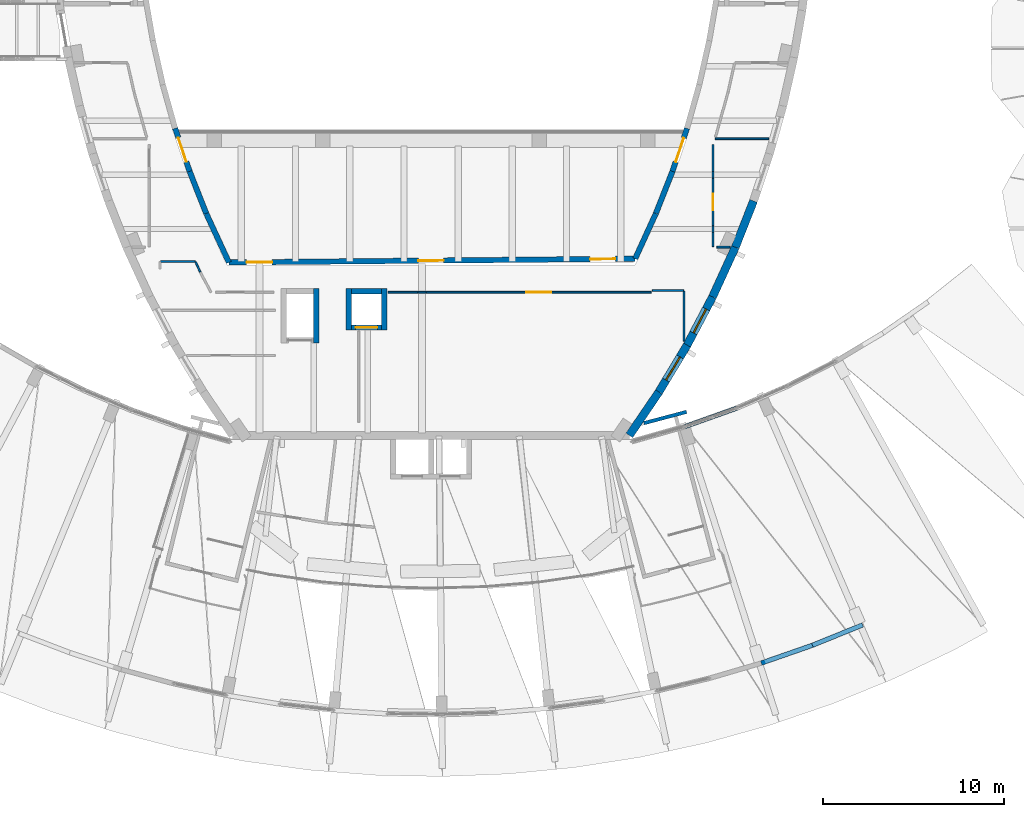
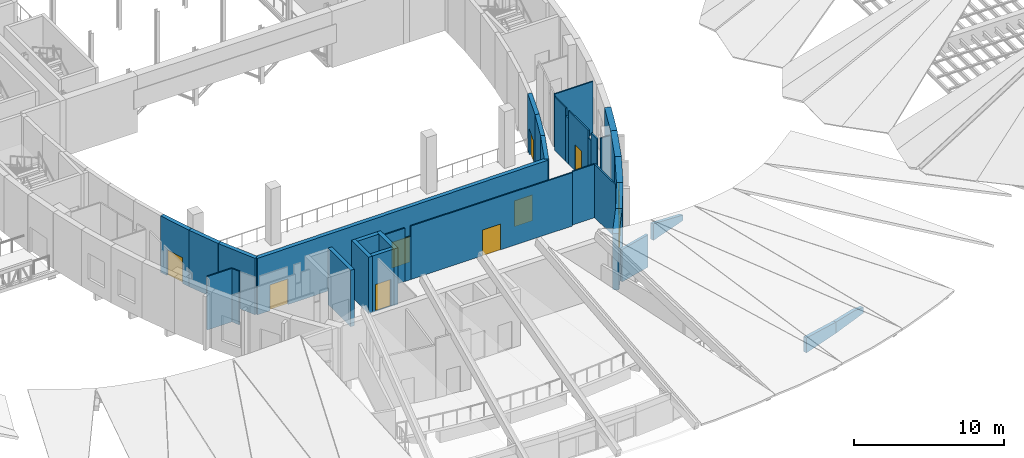
# One storey, part 34 of 56: 35 walls, 8 doors, 2 windows, 10 openings.
"""IFC4 building model written with IfcOpenShell, lengths in metres."""

from ifc_helpers import new_model, si_unit, direction, frame, frame_2d, origin, place, context, subcontext, project, spatial, polyline, rectangle, outline, extrude, material, layer, layer_set, type_object, element, fill, save


model = new_model("IFC4")

# Units and contexts
model_context = context("Model", 3, precision=1e-05, world=origin(), true_north=direction((0.0, 1.0)))
body_context = subcontext(model_context, "Body", "Model", "MODEL_VIEW")
ifc_project = project(units=[si_unit("LENGTHUNIT", "METRE"), si_unit("AREAUNIT", "SQUARE_METRE"), si_unit("VOLUMEUNIT", "CUBIC_METRE"), si_unit("PLANEANGLEUNIT", "RADIAN"), si_unit("MASSUNIT", "GRAM", prefix="KILO")], contexts=[model_context])

# Site, building, storey
site_placement = place(None, origin())
site = spatial("IfcSite", under=ifc_project, at=site_placement, CompositionType="ELEMENT")
building_placement = place(site_placement, origin())
building = spatial("IfcBuilding", under=site, at=building_placement, Name="Tide Square Theatres", CompositionType="ELEMENT")
storey_placement = place(building_placement, frame((0.0, 0.0, 10.199951171875)))
storey = spatial("IfcBuildingStorey", under=building, at=storey_placement, Name="L02", CompositionType="ELEMENT", Elevation=10.199951171875)

# Walls
ifc_material_1 = material(Name="Gypsum board on steel studs", Category="steel")
ifc_layer_1 = layer(ifc_material_1, 0.10009765625)
ifc_layer_set_1 = layer_set([ifc_layer_1], Name="Gypsum board on steel studs")
wall_type_1 = type_object("IfcWallType", Name="Partition 100 thick", PredefinedType="PARTITIONING", material=ifc_layer_set_1)
wall_1_placement = place(storey_placement, frame((69.033203125, 33.199951171875, 0.0), z_axis=(0.0, 0.0, 1.0), x_axis=(1.0, 0.0, 0.0)))
element("IfcWall", 1, at=wall_1_placement, inside=storey, type_object=wall_type_1, Name="Partition", PredefinedType="PARTITIONING", context=body_context, shape_type="SweptSolid", body=[
    extrude(rectangle(XDim=1.9140625, YDim=0.10009765625, at=frame_2d((0.95703125, 0.0))), origin(), (0.0, 0.0, 1.0), 4.35009765625),
])
wall_2_placement = place(storey_placement, frame((70.97412109375, 33.176513671875, 0.0), z_axis=(0.0, 0.0, 1.0), x_axis=(0.416055955945, -0.909339013527, 0.0)))
element("IfcWall", 2, at=wall_2_placement, inside=storey, type_object=wall_type_1, Name="Partition", PredefinedType="PARTITIONING", context=body_context, shape_type="SweptSolid", body=[
    extrude(rectangle(XDim=0.603759765625, YDim=0.10009765625, at=frame_2d((0.3017578125, 0.0))), origin(), (0.0, 0.0, 1.0), 4.35009765625),
])
wall_3_placement = place(storey_placement, frame((81.6201171875, 31.5, 0.0), z_axis=(0.0, 0.0, 1.0), x_axis=(1.0, 0.0, 0.0)))
element("IfcWall", 3, at=wall_3_placement, inside=storey, type_object=wall_type_1, Name="Partition", PredefinedType="PARTITIONING", context=body_context, shape_type="SweptSolid", body=[
    extrude(rectangle(XDim=1.64990234375, YDim=0.10009765625, at=frame_2d((0.824951171875, 0.0))), origin(), (0.0, 0.0, 1.0), 4.35009765625),
])
wall_4_placement = place(storey_placement, frame((83.27001953125, 31.5, 0.0), z_axis=(0.0, 0.0, 1.0), x_axis=(1.0, 0.0, 0.0)))
element("IfcWall", 4, at=wall_4_placement, inside=storey, type_object=wall_type_1, Name="Partition", PredefinedType="PARTITIONING", context=body_context, shape_type="SweptSolid", body=[
    extrude(rectangle(XDim=0.4599609375, YDim=0.10009765625, at=frame_2d((0.22998046875, 0.0))), origin(), (0.0, 0.0, 1.0), 3.52001953125),
])

# Wall, opening, door
wall_5_placement = place(storey_placement, frame((83.72998046875, 31.5, 0.0), z_axis=(0.0, 0.0, 1.0), x_axis=(1.0, 0.0, 0.0)))
wall_5 = element("IfcWall", 5, at=wall_5_placement, inside=storey, type_object=wall_type_1, Name="Partition", PredefinedType="PARTITIONING", context=body_context, shape_type="SweptSolid", body=[
    extrude(rectangle(XDim=12.44921875, YDim=0.10009765625, at=frame_2d((6.224609375, 0.0))), origin(), (0.0, 0.0, 1.0), 4.35009765625),
])
opening_1_placement = place(wall_5_placement, frame((5.524658203125, 0.0, 0.0)))
opening_1 = element("IfcOpeningElement", 6, at=opening_1_placement, cuts=wall_5, Name="Opening M02-07", PredefinedType="OPENING", context=body_context, shape_type="SweptSolid", body=[
    extrude(rectangle(XDim=1.39990234375, YDim=2.10009765625, at=frame_2d((0.699951171875, 1.050048828125))), frame((0.0, 0.06005859375, 0.0), z_axis=(0.0, -1.0, 0.0), x_axis=(1.0, 0.0, 0.0)), (0.0, 0.0, 1.0), 0.1201171875),
])
ifc_material_2 = material(Name="Hardwood timber", Category="wood")
door_type_1 = type_object("IfcDoorType", Name="Door 1400 x 2100 double leaf", OperationType="DOUBLE_DOOR_SINGLE_SWING", PredefinedType="DOOR", material=ifc_material_2)
door_1_placement = place(opening_1_placement, origin())
door_1 = element("IfcDoor", 7, at=door_1_placement, inside=storey, type_object=door_type_1, Name="Upper Circle Bar door", OperationType="DOUBLE_DOOR_SINGLE_SWING", OverallHeight=2.10009765625, OverallWidth=1.39990234375, PredefinedType="DOOR", context=body_context, shape_type="SweptSolid", body=[
    extrude(rectangle(XDim=1.39990234375, YDim=2.10009765625, at=frame_2d((0.699951171875, 1.050048828125))), frame((0.0, 0.02490234375, 0.0), z_axis=(0.0, -1.0, 0.0), x_axis=(1.0, 0.0, 0.0)), (0.0, 0.0, 1.0), 0.050048828125),
])
fill(opening_1, door_1)

# Walls
wall_6_placement = place(storey_placement, frame((96.24755859375, 31.60009765625, 0.0), z_axis=(0.0, 0.0, 1.0), x_axis=(1.0, 0.0, 0.0)))
element("IfcWall", 8, at=wall_6_placement, inside=storey, type_object=wall_type_1, Name="Partition", PredefinedType="PARTITIONING", context=body_context, shape_type="SweptSolid", body=[
    extrude(rectangle(XDim=1.729248046875, YDim=0.10009765625, at=frame_2d((0.86474609375, 0.0))), origin(), (0.0, 0.0, 1.0), 4.35009765625),
])
wall_7_placement = place(storey_placement, frame((98.0, 31.56689453125, 0.0), z_axis=(0.0, 0.0, 1.0), x_axis=(0.0, -1.0, 0.0)))
element("IfcWall", 9, at=wall_7_placement, inside=storey, type_object=wall_type_1, Name="Partition", PredefinedType="PARTITIONING", context=body_context, shape_type="SweptSolid", body=[
    extrude(rectangle(XDim=2.770751953125, YDim=0.10009765625, at=frame_2d((1.38525390625, 0.0))), origin(), (0.0, 0.0, 1.0), 4.35009765625),
])
wall_8_placement = place(storey_placement, frame((99.60009765625, 34.023193359375, 0.0), z_axis=(0.0, 0.0, 1.0), x_axis=(0.0, 1.0, 0.0)))
element("IfcWall", 10, at=wall_8_placement, inside=storey, type_object=wall_type_1, Name="Partition", PredefinedType="PARTITIONING", context=body_context, shape_type="SweptSolid", body=[
    extrude(rectangle(XDim=0.796875, YDim=0.10009765625, at=frame_2d((0.3984375, 0.0))), origin(), (0.0, 0.0, 1.0), 4.35009765625),
])
wall_9_placement = place(storey_placement, frame((99.60009765625, 34.820068359375, 0.0), z_axis=(0.0, 0.0, 1.0), x_axis=(0.0, 1.0, 0.0)))
element("IfcWall", 11, at=wall_9_placement, inside=storey, type_object=wall_type_1, Name="Partition", PredefinedType="PARTITIONING", context=body_context, shape_type="SweptSolid", body=[
    extrude(rectangle(XDim=0.35986328125, YDim=0.10009765625, at=frame_2d((0.179931640625, 0.0))), origin(), (0.0, 0.0, 1.0), 3.719970703125),
])

# Wall, opening, door
wall_10_placement = place(storey_placement, frame((99.60009765625, 35.179931640625, 0.0), z_axis=(0.0, 0.0, 1.0), x_axis=(0.0, 1.0, 0.0)))
wall_10 = element("IfcWall", 12, at=wall_10_placement, inside=storey, type_object=wall_type_1, Name="Partition", PredefinedType="PARTITIONING", context=body_context, shape_type="SweptSolid", body=[
    extrude(rectangle(XDim=2.64013671875, YDim=0.10009765625, at=frame_2d((1.320068359375, 0.0))), origin(), (0.0, 0.0, 1.0), 4.35009765625),
])
opening_2_placement = place(wall_10_placement, frame((0.8701171875, 0.0, 0.0)))
opening_2 = element("IfcOpeningElement", 13, at=opening_2_placement, cuts=wall_10, Name="Opening M02-11", PredefinedType="OPENING", context=body_context, shape_type="SweptSolid", body=[
    extrude(rectangle(XDim=0.89990234375, YDim=2.10009765625, at=frame_2d((0.449951171875, 1.050048828125))), frame((0.0, 0.06005859375, 0.0), z_axis=(0.0, -1.0, 0.0), x_axis=(1.0, 0.0, 0.0)), (0.0, 0.0, 1.0), 0.1201171875),
])
ifc_material_3 = material(Name="Hardwood timber", Category="wood")
door_type_2 = type_object("IfcDoorType", Name="Door 900 x 2100 single leaf", OperationType="NOTDEFINED", PredefinedType="DOOR", material=ifc_material_3)
door_2_placement = place(opening_2_placement, frame((0.89990234375, 0.0, 0.0), z_axis=(0.0, 0.0, 1.0), x_axis=(-1.0, 0.0, 0.0)))
door_2 = element("IfcDoor", 14, at=door_2_placement, inside=storey, type_object=door_type_2, Name="Chorus Dressing Room 03 door", OperationType="SINGLE_SWING_LEFT", OverallHeight=2.10009765625, OverallWidth=0.89990234375, PredefinedType="DOOR", context=body_context, shape_type="SweptSolid", body=[
    extrude(rectangle(XDim=0.89990234375, YDim=2.10009765625, at=frame_2d((0.449951171875, 1.050048828125))), frame((0.0, 0.02490234375, 0.0), z_axis=(0.0, -1.0, 0.0), x_axis=(1.0, 0.0, 0.0)), (0.0, 0.0, 1.0), 0.050048828125),
])
fill(opening_2, door_2)

# Walls
wall_11_placement = place(storey_placement, frame((99.60009765625, 37.820068359375, 0.0), z_axis=(0.0, 0.0, 1.0), x_axis=(0.0, 1.0, 0.0)))
element("IfcWall", 15, at=wall_11_placement, inside=storey, type_object=wall_type_1, Name="Partition", PredefinedType="PARTITIONING", context=body_context, shape_type="SweptSolid", body=[
    extrude(rectangle(XDim=0.35986328125, YDim=0.10009765625, at=frame_2d((0.179931640625, 0.0))), origin(), (0.0, 0.0, 1.0), 3.719970703125),
])
wall_12_placement = place(storey_placement, frame((99.60009765625, 38.179931640625, 0.0), z_axis=(0.0, 0.0, 1.0), x_axis=(0.0, 1.0, 0.0)))
element("IfcWall", 16, at=wall_12_placement, inside=storey, type_object=wall_type_1, Name="Partition", PredefinedType="PARTITIONING", context=body_context, shape_type="SweptSolid", body=[
    extrude(rectangle(XDim=1.487548828125, YDim=0.10009765625, at=frame_2d((0.74365234375, 0.0))), origin(), (0.0, 0.0, 1.0), 4.35009765625),
])
wall_13_placement = place(storey_placement, frame((99.7373046875, 40.0, 0.0), z_axis=(0.0, 0.0, 1.0), x_axis=(1.0, 0.0, 0.0)))
element("IfcWall", 17, at=wall_13_placement, inside=storey, type_object=wall_type_1, Name="Partition", PredefinedType="PARTITIONING", context=body_context, shape_type="SweptSolid", body=[
    extrude(rectangle(XDim=2.94873046875, YDim=0.10009765625, at=frame_2d((1.474365234375, 0.0))), origin(), (0.0, 0.0, 1.0), 4.35009765625),
])
wall_14_placement = place(storey_placement, frame((100.552734375, 34.0, 0.0), z_axis=(0.0, 0.0, 1.0), x_axis=(-1.0, 0.0, 0.0)))
element("IfcWall", 18, at=wall_14_placement, inside=storey, type_object=wall_type_1, Name="Partition", PredefinedType="PARTITIONING", context=body_context, shape_type="SweptSolid", body=[
    extrude(rectangle(XDim=0.7314453125, YDim=0.10009765625, at=frame_2d((0.36572265625, 0.0))), origin(), (0.0, 0.0, 1.0), 4.35009765625),
])
ifc_material_4 = material(Name="Concrete C40", Category="concrete")
ifc_layer_2 = layer(ifc_material_4, 0.449951171875)
ifc_layer_set_2 = layer_set([ifc_layer_2], Name="Concrete C40")
wall_type_2 = type_object("IfcWallType", Name="RC curved wall 450 thick", PredefinedType="SOLIDWALL", material=ifc_layer_set_2)
wall_15_placement = place(storey_placement, frame((94.97412109375, 23.58251953125, 0.0), z_axis=(0.0, 0.0, 1.0), x_axis=(0.5629642644, 0.826481238147, 0.0)))
element("IfcWall", 19, at=wall_15_placement, inside=storey, type_object=wall_type_2, Name="Main Theatre perimeter wall", PredefinedType="SOLIDWALL", context=body_context, shape_type="SweptSolid", body=[
    extrude(rectangle(XDim=2.908203125, YDim=0.449951171875, at=frame_2d((1.4541015625, 0.0))), origin(), (0.0, 0.0, 1.0), 4.60009765625),
])

# Wall, opening, window
wall_16_placement = place(storey_placement, frame((96.611328125, 25.986083984375, 0.0), z_axis=(0.0, 0.0, 1.0), x_axis=(0.515636119523, 0.856807675177, 0.0)))
wall_16 = element("IfcWall", 20, at=wall_16_placement, inside=storey, type_object=wall_type_2, Name="Main Theatre perimeter wall", PredefinedType="SOLIDWALL", context=body_context, shape_type="SweptSolid", body=[
    extrude(rectangle(XDim=3.021240234375, YDim=0.449951171875, at=frame_2d((1.5107421875, 0.0))), origin(), (0.0, 0.0, 1.0), 4.60009765625),
])
opening_3_placement = place(wall_16_placement, frame((0.760498046875, 0.0, 0.89990234375)))
opening_3 = element("IfcOpeningElement", 21, at=opening_3_placement, cuts=wall_16, Name="Opening WN-01", PredefinedType="OPENING", context=body_context, shape_type="SweptSolid", body=[
    extrude(rectangle(XDim=1.5, YDim=2.10009765625, at=frame_2d((0.75, 1.050048828125))), frame((0.0, 0.23486328125, 0.0), z_axis=(0.0, -1.0, 0.0), x_axis=(1.0, 0.0, 0.0)), (0.0, 0.0, 1.0), 0.469970703125),
])
ifc_material_5 = material(Name="Aluminium with laminated glass", Category="aluminium")
window_type = type_object("IfcWindowType", Name="Window 1500 x 2100", PartitioningType="SINGLE_PANEL", PredefinedType="WINDOW", material=ifc_material_5)
window_1_placement = place(opening_3_placement, origin())
window_1 = element("IfcWindow", 22, at=window_1_placement, inside=storey, type_object=window_type, Name="Main Theatre window", OverallHeight=2.10009765625, OverallWidth=1.5, PartitioningType="SINGLE_PANEL", PredefinedType="WINDOW", context=body_context, shape_type="SweptSolid", body=[
    extrude(rectangle(XDim=1.5, YDim=2.10009765625, at=frame_2d((0.75, 1.050048828125))), frame((0.0, 0.030029296875, 0.0), z_axis=(0.0, -1.0, 0.0), x_axis=(1.0, 0.0, 0.0)), (0.0, 0.0, 1.0), 0.06005859375),
])
fill(opening_3, window_1)

wall_17_placement = place(storey_placement, frame((98.169189453125, 28.57470703125, 0.0), z_axis=(0.0, 0.0, 1.0), x_axis=(0.466728769487, 0.884400506407, 0.0)))
wall_17 = element("IfcWall", 23, at=wall_17_placement, inside=storey, type_object=wall_type_2, Name="Main Theatre perimeter wall", PredefinedType="SOLIDWALL", context=body_context, shape_type="SweptSolid", body=[
    extrude(rectangle(XDim=3.020751953125, YDim=0.449951171875, at=frame_2d((1.51025390625, 0.0))), origin(), (0.0, 0.0, 1.0), 4.60009765625),
])
opening_4_placement = place(wall_17_placement, frame((0.760498046875, 0.0, 0.89990234375)))
opening_4 = element("IfcOpeningElement", 24, at=opening_4_placement, cuts=wall_17, Name="Opening WN-01", PredefinedType="OPENING", context=body_context, shape_type="SweptSolid", body=[
    extrude(rectangle(XDim=1.5, YDim=2.10009765625, at=frame_2d((0.75, 1.050048828125))), frame((0.0, 0.23486328125, 0.0), z_axis=(0.0, -1.0, 0.0), x_axis=(1.0, 0.0, 0.0)), (0.0, 0.0, 1.0), 0.469970703125),
])
window_2_placement = place(opening_4_placement, origin())
window_2 = element("IfcWindow", 25, at=window_2_placement, inside=storey, type_object=window_type, Name="Main Theatre window", OverallHeight=2.10009765625, OverallWidth=1.5, PartitioningType="SINGLE_PANEL", PredefinedType="WINDOW", context=body_context, shape_type="SweptSolid", body=[
    extrude(rectangle(XDim=1.5, YDim=2.10009765625, at=frame_2d((0.75, 1.050048828125))), frame((0.0, 0.030029296875, 0.0), z_axis=(0.0, -1.0, 0.0), x_axis=(1.0, 0.0, 0.0)), (0.0, 0.0, 1.0), 0.06005859375),
])
fill(opening_4, window_2)

# Walls
wall_18_placement = place(storey_placement, frame((99.5791015625, 31.246337890625, 0.0), z_axis=(0.0, 0.0, 1.0), x_axis=(0.416407051835, 0.909178292296, 0.0)))
element("IfcWall", 26, at=wall_18_placement, inside=storey, type_object=wall_type_2, Name="Main Theatre perimeter wall", PredefinedType="SOLIDWALL", context=body_context, shape_type="SweptSolid", body=[
    extrude(rectangle(XDim=3.021240234375, YDim=0.449951171875, at=frame_2d((1.5107421875, 0.0))), origin(), (0.0, 0.0, 1.0), 4.60009765625),
])
wall_19_placement = place(storey_placement, frame((100.837158203125, 33.9931640625, 0.0), z_axis=(0.0, 0.0, 1.0), x_axis=(0.366920100653, 0.930252460215, 0.0)))
element("IfcWall", 27, at=wall_19_placement, inside=storey, type_object=wall_type_2, Name="Main Theatre perimeter wall", PredefinedType="SOLIDWALL", context=body_context, shape_type="SweptSolid", body=[
    extrude(rectangle(XDim=2.751953125, YDim=0.449951171875, at=frame_2d((1.3759765625, 0.0))), origin(), (0.0, 0.0, 1.0), 4.60009765625),
])
ifc_material_6 = material(Name="Concrete C40", Category="concrete")
ifc_layer_3 = layer(ifc_material_6, 0.199951171875)
ifc_layer_set_3 = layer_set([ifc_layer_3], Name="Concrete C40")
wall_type_3 = type_object("IfcWallType", Name="RC shear wall 200 thick", PredefinedType="SHEAR", material=ifc_layer_set_3)
wall_20_placement = place(storey_placement, frame((98.138427734375, 24.883544921875, 0.0), z_axis=(0.0, 0.0, 1.0), x_axis=(-0.966582812495, -0.256354572009, 0.0)))
element("IfcWall", 28, at=wall_20_placement, inside=storey, type_object=wall_type_3, Name="Exit stair F4 wall", PredefinedType="SHEAR", context=body_context, shape_type="SweptSolid", body=[
    extrude(rectangle(XDim=2.43994140625, YDim=0.199951171875, at=frame_2d((1.219970703125, 0.0))), origin(), (0.0, 0.0, 1.0), 2.64013671875),
])
ifc_material_7 = material(Name="Concrete C40", Category="concrete")
ifc_layer_4 = layer(ifc_material_7, 0.25)
ifc_layer_set_4 = layer_set([ifc_layer_4], Name="Concrete C40")
wall_type_4 = type_object("IfcWallType", Name="RC shear wall 250 thick", PredefinedType="SHEAR", material=ifc_layer_set_4)
wall_21_placement = place(storey_placement, frame((102.273193359375, 10.981689453125, 0.0), z_axis=(0.0, 0.0, 1.0), x_axis=(0.944369202368, 0.328887229334, 0.0)))
element("IfcWall", 29, at=wall_21_placement, inside=storey, type_object=wall_type_4, Name="Foyer fascia wall", PredefinedType="SHEAR", context=body_context, shape_type="SweptSolid", body=[
    extrude(outline(polyline([(0.0, 0.0), (2.99609375, 0.0), (2.99609375, 0.916015625), (0.0, 1.22412109375), (0.0, 0.0)])), frame((0.0, 0.125, 0.0), z_axis=(0.0, -1.0, 0.0), x_axis=(1.0, 0.0, 0.0)), (0.0, 0.0, 1.0), 0.25),
])
wall_22_placement = place(storey_placement, frame((105.1025390625, 11.967041015625, 0.0), z_axis=(0.0, 0.0, 1.0), x_axis=(0.926730066366, 0.375727805857, 0.0)))
element("IfcWall", 30, at=wall_22_placement, inside=storey, type_object=wall_type_4, Name="Foyer fascia wall", PredefinedType="SHEAR", context=body_context, shape_type="SweptSolid", body=[
    extrude(outline(polyline([(0.0, 0.0), (2.99609375, 0.0), (2.99609375, 0.479248046875), (2.6962890625, 0.5439453125), (2.396728515625, 0.631591796875), (2.09716796875, 0.72216796875), (0.0, 0.91552734375), (0.0, 0.0)])), frame((0.0, 0.125, 0.0), z_axis=(0.0, -1.0, 0.0), x_axis=(1.0, 0.0, 0.0)), (0.0, 0.0, 1.0), 0.25),
])
wall_23_placement = place(storey_placement, frame((100.9072265625, 25.08544921875, 2.7060546875), z_axis=(0.0, 0.0, 1.0), x_axis=(-0.941947191525, -0.335761058459, 0.0)))
element("IfcWall", 31, at=wall_23_placement, inside=storey, type_object=wall_type_4, Name="Foyer fascia wall", PredefinedType="SHEAR", context=body_context, shape_type="SweptSolid", body=[
    extrude(outline(polyline([(0.0, 0.0), (3.037841796875, 0.0), (3.037841796875, 1.348876953125), (2.76171875, 1.275390625), (0.0, 0.449462890625), (0.0, 0.0)])), frame((0.0, 0.125, 0.0), z_axis=(0.0, -1.0, 0.0), x_axis=(1.0, 0.0, 0.0)), (0.0, 0.0, 1.0), 0.25),
])

# Wall, opening, door
ifc_material_8 = material(Name="Concrete C40", Category="concrete")
ifc_layer_5 = layer(ifc_material_8, 0.300048828125)
ifc_layer_set_5 = layer_set([ifc_layer_5], Name="Concrete C40")
wall_type_5 = type_object("IfcWallType", Name="RC shear wall 300 thick", PredefinedType="SHEAR", material=ifc_layer_set_5)
wall_24_placement = place(storey_placement, frame((69.840087890625, 40.568603515625, 0.0), z_axis=(0.0, 0.0, 1.0), x_axis=(0.318855282586, -0.947803412511, 0.0)))
wall_24 = element("IfcWall", 32, at=wall_24_placement, inside=storey, type_object=wall_type_5, Name="Main Theatre auditorium wall", PredefinedType="SHEAR", context=body_context, shape_type="SweptSolid", body=[
    extrude(rectangle(XDim=2.507568359375, YDim=0.300048828125, at=frame_2d((1.25390625, 0.0))), origin(), (0.0, 0.0, 1.0), 4.60009765625),
])
opening_5_placement = place(wall_24_placement, frame((0.550048828125, 0.0, 0.0)))
opening_5 = element("IfcOpeningElement", 33, at=opening_5_placement, cuts=wall_24, Name="Opening M02-23", PredefinedType="OPENING", context=body_context, shape_type="SweptSolid", body=[
    extrude(rectangle(XDim=1.39990234375, YDim=2.10009765625, at=frame_2d((0.699951171875, 1.050048828125))), frame((0.0, 0.159912109375, 0.0), z_axis=(0.0, -1.0, 0.0), x_axis=(1.0, 0.0, 0.0)), (0.0, 0.0, 1.0), 0.320068359375),
])
door_3_placement = place(opening_5_placement, origin())
door_3 = element("IfcDoor", 34, at=door_3_placement, inside=storey, type_object=door_type_1, Name="Auditorium side exit pair", OperationType="DOUBLE_DOOR_SINGLE_SWING", OverallHeight=2.10009765625, OverallWidth=1.39990234375, PredefinedType="DOOR", context=body_context, shape_type="SweptSolid", body=[
    extrude(rectangle(XDim=1.39990234375, YDim=2.10009765625, at=frame_2d((0.699951171875, 1.050048828125))), frame((0.0, 0.02490234375, 0.0), z_axis=(0.0, -1.0, 0.0), x_axis=(1.0, 0.0, 0.0)), (0.0, 0.0, 1.0), 0.050048828125),
])
fill(opening_5, door_3)

# Walls
wall_25_placement = place(storey_placement, frame((70.6396484375, 38.19189453125, 0.0), z_axis=(0.0, 0.0, 1.0), x_axis=(0.366944326543, -0.930242904417, 0.0)))
element("IfcWall", 35, at=wall_25_placement, inside=storey, type_object=wall_type_5, Name="Main Theatre auditorium wall", PredefinedType="SHEAR", context=body_context, shape_type="SweptSolid", body=[
    extrude(rectangle(XDim=2.501708984375, YDim=0.300048828125, at=frame_2d((1.2509765625, 0.0))), origin(), (0.0, 0.0, 1.0), 4.60009765625),
])
wall_26_placement = place(storey_placement, frame((71.5576171875, 35.86474609375, 0.0), z_axis=(0.0, 0.0, 1.0), x_axis=(0.420315192535, -0.907378167538, 0.0)))
element("IfcWall", 36, at=wall_26_placement, inside=storey, type_object=wall_type_5, Name="Main Theatre auditorium wall", PredefinedType="SHEAR", context=body_context, shape_type="SweptSolid", body=[
    extrude(rectangle(XDim=2.991943359375, YDim=0.300048828125, at=frame_2d((1.49609375, 0.0))), origin(), (0.0, 0.0, 1.0), 4.60009765625),
])

# Wall, openings, doors
wall_27_placement = place(storey_placement, frame((72.815185546875, 33.14990234375, 0.0), z_axis=(0.0, 0.0, 1.0), x_axis=(0.999957788763, 0.009188073348, 0.0)))
wall_27 = element("IfcWall", 37, at=wall_27_placement, inside=storey, type_object=wall_type_5, Name="Main Theatre auditorium wall", PredefinedType="SHEAR", context=body_context, shape_type="SweptSolid", body=[
    extrude(rectangle(XDim=22.4794921875, YDim=0.300048828125, at=frame_2d((11.23974609375, 0.0))), origin(), (0.0, 0.0, 1.0), 4.60009765625),
])
opening_6_placement = place(wall_27_placement, frame((0.984619140625, 0.0, 0.0)))
opening_6 = element("IfcOpeningElement", 38, at=opening_6_placement, cuts=wall_27, Name="Opening M02-20", PredefinedType="OPENING", context=body_context, shape_type="SweptSolid", body=[
    extrude(rectangle(XDim=1.39990234375, YDim=2.10009765625, at=frame_2d((0.699951171875, 1.050048828125))), frame((0.0, 0.159912109375, 0.0), z_axis=(0.0, -1.0, 0.0), x_axis=(1.0, 0.0, 0.0)), (0.0, 0.0, 1.0), 0.320068359375),
])
opening_7_placement = place(wall_27_placement, frame((10.484619140625, 0.0, 0.0)))
opening_7 = element("IfcOpeningElement", 39, at=opening_7_placement, cuts=wall_27, Name="Opening M02-21", PredefinedType="OPENING", context=body_context, shape_type="SweptSolid", body=[
    extrude(rectangle(XDim=1.39990234375, YDim=2.10009765625, at=frame_2d((0.699951171875, 1.050048828125))), frame((0.0, 0.159912109375, 0.0), z_axis=(0.0, -1.0, 0.0), x_axis=(1.0, 0.0, 0.0)), (0.0, 0.0, 1.0), 0.320068359375),
])
opening_8_placement = place(wall_27_placement, frame((19.984619140625, 0.0, 0.0)))
opening_8 = element("IfcOpeningElement", 40, at=opening_8_placement, cuts=wall_27, Name="Opening M02-22", PredefinedType="OPENING", context=body_context, shape_type="SweptSolid", body=[
    extrude(rectangle(XDim=1.39990234375, YDim=2.10009765625, at=frame_2d((0.699951171875, 1.050048828125))), frame((0.0, 0.159912109375, 0.0), z_axis=(0.0, -1.0, 0.0), x_axis=(1.0, 0.0, 0.0)), (0.0, 0.0, 1.0), 0.320068359375),
])
door_4_placement = place(opening_6_placement, origin())
door_4 = element("IfcDoor", 41, at=door_4_placement, inside=storey, type_object=door_type_1, Name="Auditorium entrance pair", OperationType="DOUBLE_DOOR_SINGLE_SWING", OverallHeight=2.10009765625, OverallWidth=1.39990234375, PredefinedType="DOOR", context=body_context, shape_type="SweptSolid", body=[
    extrude(rectangle(XDim=1.39990234375, YDim=2.10009765625, at=frame_2d((0.699951171875, 1.050048828125))), frame((0.0, 0.02490234375, 0.0), z_axis=(0.0, -1.0, 0.0), x_axis=(1.0, 0.0, 0.0)), (0.0, 0.0, 1.0), 0.050048828125),
])
fill(opening_6, door_4)
door_5_placement = place(opening_7_placement, origin())
door_5 = element("IfcDoor", 42, at=door_5_placement, inside=storey, type_object=door_type_1, Name="Auditorium entrance pair", OperationType="DOUBLE_DOOR_SINGLE_SWING", OverallHeight=2.10009765625, OverallWidth=1.39990234375, PredefinedType="DOOR", context=body_context, shape_type="SweptSolid", body=[
    extrude(rectangle(XDim=1.39990234375, YDim=2.10009765625, at=frame_2d((0.699951171875, 1.050048828125))), frame((0.0, 0.02490234375, 0.0), z_axis=(0.0, -1.0, 0.0), x_axis=(1.0, 0.0, 0.0)), (0.0, 0.0, 1.0), 0.050048828125),
])
fill(opening_7, door_5)
door_6_placement = place(opening_8_placement, origin())
door_6 = element("IfcDoor", 43, at=door_6_placement, inside=storey, type_object=door_type_1, Name="Auditorium entrance pair", OperationType="DOUBLE_DOOR_SINGLE_SWING", OverallHeight=2.10009765625, OverallWidth=1.39990234375, PredefinedType="DOOR", context=body_context, shape_type="SweptSolid", body=[
    extrude(rectangle(XDim=1.39990234375, YDim=2.10009765625, at=frame_2d((0.699951171875, 1.050048828125))), frame((0.0, 0.02490234375, 0.0), z_axis=(0.0, -1.0, 0.0), x_axis=(1.0, 0.0, 0.0)), (0.0, 0.0, 1.0), 0.050048828125),
])
fill(opening_8, door_6)

# Walls
wall_28_placement = place(storey_placement, frame((95.293701171875, 33.3564453125, 0.0), z_axis=(0.0, 0.0, 1.0), x_axis=(0.416368255987, 0.909196059938, 0.0)))
element("IfcWall", 44, at=wall_28_placement, inside=storey, type_object=wall_type_5, Name="Main Theatre auditorium wall", PredefinedType="SHEAR", context=body_context, shape_type="SweptSolid", body=[
    extrude(rectangle(XDim=2.7587890625, YDim=0.300048828125, at=frame_2d((1.37939453125, 0.0))), origin(), (0.0, 0.0, 1.0), 4.60009765625),
])
wall_29_placement = place(storey_placement, frame((96.4423828125, 35.86474609375, 0.0), z_axis=(0.0, 0.0, 1.0), x_axis=(0.366944326543, 0.930242904417, 0.0)))
element("IfcWall", 45, at=wall_29_placement, inside=storey, type_object=wall_type_5, Name="Main Theatre auditorium wall", PredefinedType="SHEAR", context=body_context, shape_type="SweptSolid", body=[
    extrude(rectangle(XDim=2.501708984375, YDim=0.300048828125, at=frame_2d((1.2509765625, 0.0))), origin(), (0.0, 0.0, 1.0), 4.60009765625),
])

# Wall, opening, door
wall_30_placement = place(storey_placement, frame((97.3603515625, 38.19189453125, 0.0), z_axis=(0.0, 0.0, 1.0), x_axis=(0.318855282586, 0.947803412511, 0.0)))
wall_30 = element("IfcWall", 46, at=wall_30_placement, inside=storey, type_object=wall_type_5, Name="Main Theatre auditorium wall", PredefinedType="SHEAR", context=body_context, shape_type="SweptSolid", body=[
    extrude(rectangle(XDim=2.507568359375, YDim=0.300048828125, at=frame_2d((1.25390625, 0.0))), origin(), (0.0, 0.0, 1.0), 4.60009765625),
])
opening_9_placement = place(wall_30_placement, frame((0.550048828125, 0.0, 0.0)))
opening_9 = element("IfcOpeningElement", 47, at=opening_9_placement, cuts=wall_30, Name="Opening M02-24", PredefinedType="OPENING", context=body_context, shape_type="SweptSolid", body=[
    extrude(rectangle(XDim=1.39990234375, YDim=2.10009765625, at=frame_2d((0.699951171875, 1.050048828125))), frame((0.0, 0.159912109375, 0.0), z_axis=(0.0, -1.0, 0.0), x_axis=(1.0, 0.0, 0.0)), (0.0, 0.0, 1.0), 0.320068359375),
])
door_7_placement = place(opening_9_placement, origin())
door_7 = element("IfcDoor", 48, at=door_7_placement, inside=storey, type_object=door_type_1, Name="Auditorium side exit pair", OperationType="DOUBLE_DOOR_SINGLE_SWING", OverallHeight=2.10009765625, OverallWidth=1.39990234375, PredefinedType="DOOR", context=body_context, shape_type="SweptSolid", body=[
    extrude(rectangle(XDim=1.39990234375, YDim=2.10009765625, at=frame_2d((0.699951171875, 1.050048828125))), frame((0.0, 0.02490234375, 0.0), z_axis=(0.0, -1.0, 0.0), x_axis=(1.0, 0.0, 0.0)), (0.0, 0.0, 1.0), 0.050048828125),
])
fill(opening_9, door_7)

# Wall
wall_31_placement = place(storey_placement, frame((77.64990234375, 28.699951171875, 0.0), z_axis=(0.0, 0.0, 1.0), x_axis=(0.0, 1.0, 0.0)))
element("IfcWall", 49, at=wall_31_placement, inside=storey, type_object=wall_type_5, Name="Main Theatre lift 1 shaft wall", PredefinedType="SHEAR", context=body_context, shape_type="SweptSolid", body=[
    extrude(rectangle(XDim=3.0, YDim=0.300048828125, at=frame_2d((1.5, 0.0))), origin(), (0.0, 0.0, 1.0), 4.60009765625),
])

# Wall, opening, door
wall_32_placement = place(storey_placement, frame((79.60009765625, 29.550048828125, 0.0), z_axis=(0.0, 0.0, 1.0), x_axis=(1.0, 0.0, 0.0)))
wall_32 = element("IfcWall", 50, at=wall_32_placement, inside=storey, type_object=wall_type_5, Name="Main Theatre lift 2 shaft wall", PredefinedType="SHEAR", context=body_context, shape_type="SweptSolid", body=[
    extrude(rectangle(XDim=1.64990234375, YDim=0.300048828125, at=frame_2d((0.824951171875, 0.0))), origin(), (0.0, 0.0, 1.0), 4.60009765625),
])
opening_10_placement = place(wall_32_placement, frame((0.22509765625, 0.0, 0.0)))
opening_10 = element("IfcOpeningElement", 51, at=opening_10_placement, cuts=wall_32, Name="Opening LD-M2-2", PredefinedType="OPENING", context=body_context, shape_type="SweptSolid", body=[
    extrude(rectangle(XDim=1.199951171875, YDim=2.199951171875, at=frame_2d((0.60009765625, 1.10009765625))), frame((0.0, 0.159912109375, 0.0), z_axis=(0.0, -1.0, 0.0), x_axis=(1.0, 0.0, 0.0)), (0.0, 0.0, 1.0), 0.320068359375),
])
ifc_material_9 = material(Name="Painted steel", Category="steel")
door_type_3 = type_object("IfcDoorType", Name="Door 1200 x 2200 sliding", OperationType="SLIDING_TO_LEFT", PredefinedType="DOOR", material=ifc_material_9)
door_8_placement = place(opening_10_placement, origin())
door_8 = element("IfcDoor", 52, at=door_8_placement, inside=storey, type_object=door_type_3, Name="Main Theatre Passenger Lift landing door L02", OperationType="SLIDING_TO_LEFT", OverallHeight=2.199951171875, OverallWidth=1.199951171875, PredefinedType="DOOR", context=body_context, shape_type="SweptSolid", body=[
    extrude(rectangle(XDim=1.199951171875, YDim=2.199951171875, at=frame_2d((0.60009765625, 1.10009765625))), frame((0.0, 0.02490234375, 0.0), z_axis=(0.0, -1.0, 0.0), x_axis=(1.0, 0.0, 0.0)), (0.0, 0.0, 1.0), 0.050048828125),
])
fill(opening_10, door_8)

# Walls
wall_33_placement = place(storey_placement, frame((81.25, 31.550048828125, 0.0), z_axis=(0.0, 0.0, 1.0), x_axis=(-1.0, 0.0, 0.0)))
element("IfcWall", 53, at=wall_33_placement, inside=storey, type_object=wall_type_5, Name="Main Theatre lift 2 shaft wall", PredefinedType="SHEAR", context=body_context, shape_type="SweptSolid", body=[
    extrude(rectangle(XDim=1.64990234375, YDim=0.300048828125, at=frame_2d((0.824951171875, 0.0))), origin(), (0.0, 0.0, 1.0), 4.60009765625),
])
for number, where, z_axis, x_axis, name in (
    (54, (79.449951171875, 31.699951171875, 0.0), (0.0, 0.0, 1.0), (0.0, -1.0, 0.0), "Main Theatre lift 2 shaft wall"),
    (55, (81.39990234375, 29.39990234375, 0.0), (0.0, 0.0, 1.0), (0.0, 1.0, 0.0), "Main Theatre lift 2 shaft wall"),
):
    element("IfcWall", number, at=place(storey_placement, frame(where, z_axis=z_axis, x_axis=x_axis)), inside=storey, type_object=wall_type_5, Name=name, PredefinedType="SHEAR", context=body_context, shape_type="SweptSolid", body=[
        extrude(rectangle(XDim=2.300048828125, YDim=0.300048828125, at=frame_2d((1.14990234375, 0.0))), origin(), (0.0, 0.0, 1.0), 4.60009765625),
    ])

save(model, "model.ifc")
